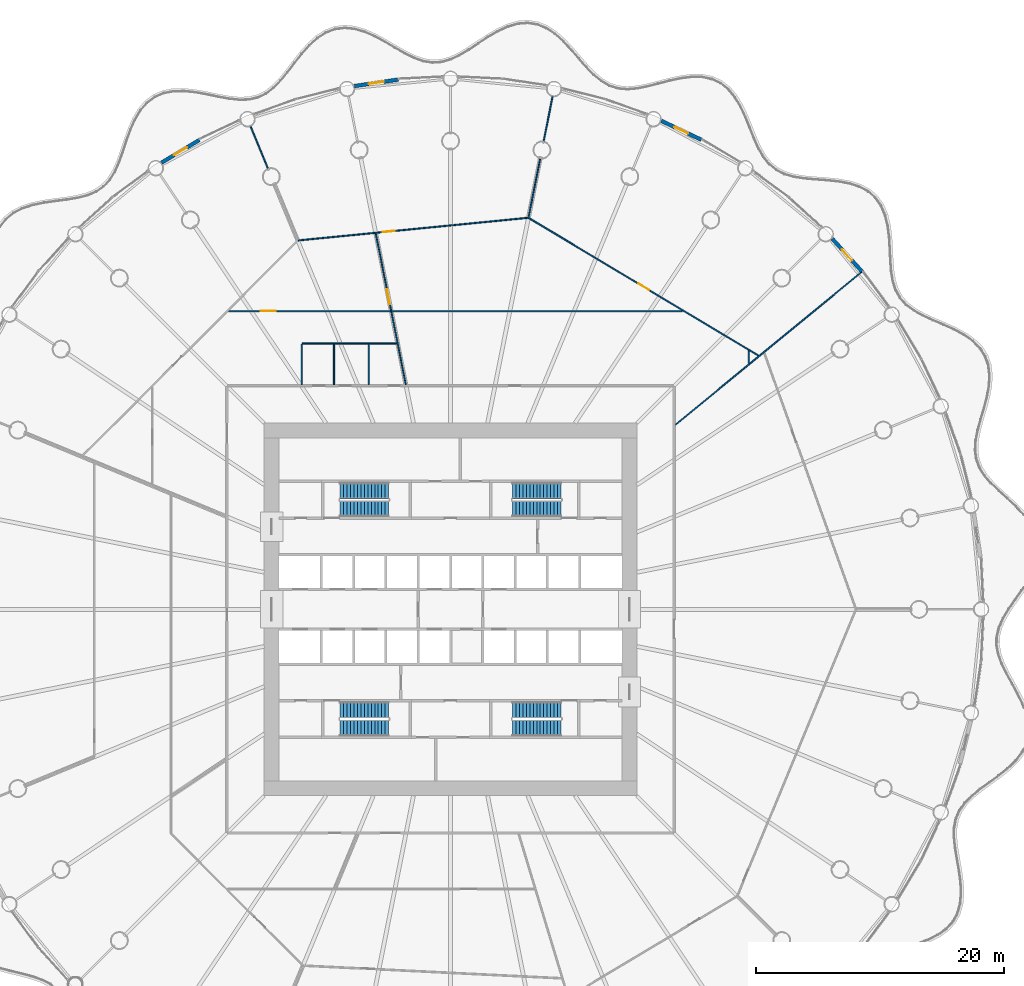
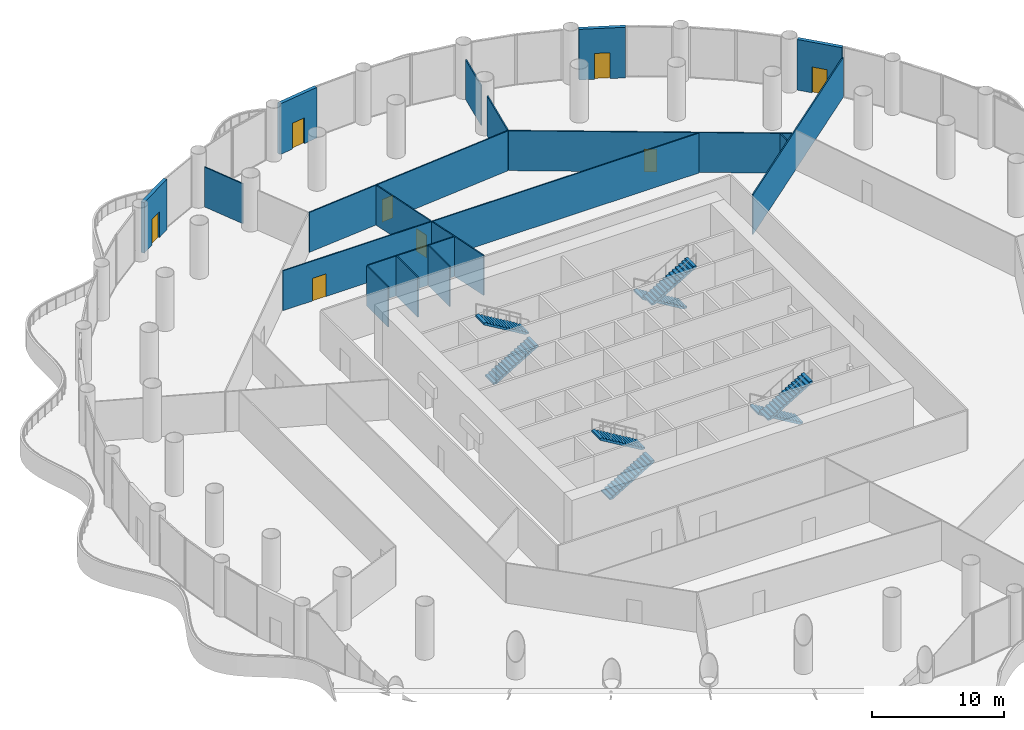
# One storey, part 27 of 35: 18 walls, 8 doors, 8 stair flights, 8 openings, 4 elements without a shape of their own.
"""IFC4 building model written with IfcOpenShell, lengths in metres."""

from ifc_helpers import new_model, si_unit, direction, frame, frame_2d, origin, place, context, subcontext, project, spatial, polyline, rectangle, outline, extrude, material, layer, layer_set, type_object, element, fill, aggregate, save


model = new_model("IFC4")

# Units and contexts
model_context = context("Model", 3, precision=1e-05, world=origin(), true_north=direction((0.0, 1.0)))
body_context = subcontext(model_context, "Body", "Model", "MODEL_VIEW")
ifc_project = project(units=[si_unit("LENGTHUNIT", "METRE"), si_unit("AREAUNIT", "SQUARE_METRE"), si_unit("VOLUMEUNIT", "CUBIC_METRE"), si_unit("PLANEANGLEUNIT", "RADIAN"), si_unit("MASSUNIT", "GRAM", prefix="KILO")], contexts=[model_context])

# Site, building, storey
site_placement = place(None, origin())
site = spatial("IfcSite", under=ifc_project, at=site_placement, CompositionType="ELEMENT")
building_placement = place(site_placement, origin())
building = spatial("IfcBuilding", under=site, at=building_placement, Name="Corvane Civic Tower", CompositionType="ELEMENT")
storey_placement = place(building_placement, frame((0.0, 0.0, 27.0)))
storey = spatial("IfcBuildingStorey", under=building, at=storey_placement, Name="L05", CompositionType="ELEMENT", Elevation=27.0)

# Wall, opening, door
ifc_material_1 = material(Name="Terracotta cladding", Category="masonry")
ifc_layer_1 = layer(ifc_material_1, 0.300048828125)
ifc_layer_set_1 = layer_set([ifc_layer_1], Name="Terracotta cladding")
wall_type_1 = type_object("IfcWallType", Name="PODIUM-W-DRUMDOOR-300", PredefinedType="SOLIDWALL", material=ifc_layer_set_1)
wall_1_placement = place(storey_placement, frame((16.9697265625, 39.317626953125, 0.0), z_axis=(0.0, 0.0, 1.0), x_axis=(0.903993235074, -0.427546758778, 0.0)))
wall_1 = element("IfcWall", 1, at=wall_1_placement, inside=storey, type_object=wall_type_1, Name="L05 drum door bay wall 03", PredefinedType="SOLIDWALL", context=body_context, shape_type="SweptSolid", body=[
    extrude(rectangle(XDim=3.559814453125, YDim=0.300048828125, at=frame_2d((1.77978515625, 0.0))), origin(), (0.0, 0.0, 1.0), 4.699951171875),
])
opening_1_placement = place(wall_1_placement, frame((1.179931640625, 0.0, 0.0)))
opening_1 = element("IfcOpeningElement", 2, at=opening_1_placement, cuts=wall_1, Name="Opening ED-L05-03", PredefinedType="OPENING", context=body_context, shape_type="SweptSolid", body=[
    extrude(rectangle(XDim=1.199951171875, YDim=2.39990234375, at=frame_2d((0.60009765625, 1.199951171875))), frame((0.0, 0.159912109375, 0.0), z_axis=(0.0, -1.0, 0.0), x_axis=(1.0, 0.0, 0.0)), (0.0, 0.0, 1.0), 0.320068359375),
])
ifc_material_2 = material(Name="Anodised aluminium and glass", Category="aluminium")
door_type_1 = type_object("IfcDoorType", Name="PODIUM-D-BALCONY-1200", OperationType="SINGLE_SWING_LEFT", PredefinedType="DOOR", material=ifc_material_2)
door_1_placement = place(opening_1_placement, origin())
door_1 = element("IfcDoor", 3, at=door_1_placement, inside=storey, type_object=door_type_1, Name="L05 balcony door 03", OperationType="SINGLE_SWING_LEFT", OverallHeight=2.39990234375, OverallWidth=1.199951171875, PredefinedType="DOOR", context=body_context, shape_type="SweptSolid", body=[
    extrude(rectangle(XDim=1.199951171875, YDim=2.39990234375, at=frame_2d((0.60009765625, 1.199951171875))), frame((0.0, 0.02490234375, 0.0), z_axis=(0.0, -1.0, 0.0), x_axis=(1.0, 0.0, 0.0)), (0.0, 0.0, 1.0), 0.050048828125),
])
fill(opening_1, door_1)

wall_2_placement = place(storey_placement, frame((30.72412109375, 29.83056640625, 0.0), z_axis=(0.0, 0.0, 1.0), x_axis=(0.671590022694, -0.740922965913, 0.0)))
wall_2 = element("IfcWall", 4, at=wall_2_placement, inside=storey, type_object=wall_type_1, Name="L05 drum door bay wall 05", PredefinedType="SOLIDWALL", context=body_context, shape_type="SweptSolid", body=[
    extrude(rectangle(XDim=3.56005859375, YDim=0.300048828125, at=frame_2d((1.780029296875, 0.0))), origin(), (0.0, 0.0, 1.0), 4.699951171875),
])
opening_2_placement = place(wall_2_placement, frame((1.179931640625, 0.0, 0.0)))
opening_2 = element("IfcOpeningElement", 5, at=opening_2_placement, cuts=wall_2, Name="Opening ED-L05-05", PredefinedType="OPENING", context=body_context, shape_type="SweptSolid", body=[
    extrude(rectangle(XDim=1.199951171875, YDim=2.39990234375, at=frame_2d((0.60009765625, 1.199951171875))), frame((0.0, 0.159912109375, 0.0), z_axis=(0.0, -1.0, 0.0), x_axis=(1.0, 0.0, 0.0)), (0.0, 0.0, 1.0), 0.320068359375),
])
door_2_placement = place(opening_2_placement, origin())
door_2 = element("IfcDoor", 6, at=door_2_placement, inside=storey, type_object=door_type_1, Name="L05 balcony door 05", OperationType="SINGLE_SWING_LEFT", OverallHeight=2.39990234375, OverallWidth=1.199951171875, PredefinedType="DOOR", context=body_context, shape_type="SweptSolid", body=[
    extrude(rectangle(XDim=1.199951171875, YDim=2.39990234375, at=frame_2d((0.60009765625, 1.199951171875))), frame((0.0, 0.02490234375, 0.0), z_axis=(0.0, -1.0, 0.0), x_axis=(1.0, 0.0, 0.0)), (0.0, 0.0, 1.0), 0.050048828125),
])
fill(opening_2, door_2)

wall_3_placement = place(storey_placement, frame((-23.26318359375, 35.95361328125, 0.0), z_axis=(0.0, 0.0, 1.0), x_axis=(0.85770467182, 0.514142680525, 0.0)))
wall_3 = element("IfcWall", 7, at=wall_3_placement, inside=storey, type_object=wall_type_1, Name="L05 drum door bay wall 30", PredefinedType="SOLIDWALL", context=body_context, shape_type="SweptSolid", body=[
    extrude(rectangle(XDim=3.5595703125, YDim=0.300048828125, at=frame_2d((1.77978515625, 0.0))), origin(), (0.0, 0.0, 1.0), 4.699951171875),
])
opening_3_placement = place(wall_3_placement, frame((1.179931640625, 0.0, 0.0)))
opening_3 = element("IfcOpeningElement", 8, at=opening_3_placement, cuts=wall_3, Name="Opening ED-L05-30", PredefinedType="OPENING", context=body_context, shape_type="SweptSolid", body=[
    extrude(rectangle(XDim=1.199951171875, YDim=2.39990234375, at=frame_2d((0.60009765625, 1.199951171875))), frame((0.0, 0.159912109375, 0.0), z_axis=(0.0, -1.0, 0.0), x_axis=(1.0, 0.0, 0.0)), (0.0, 0.0, 1.0), 0.320068359375),
])
door_3_placement = place(opening_3_placement, origin())
door_3 = element("IfcDoor", 9, at=door_3_placement, inside=storey, type_object=door_type_1, Name="L05 balcony door 30", OperationType="SINGLE_SWING_RIGHT", OverallHeight=2.39990234375, OverallWidth=1.199951171875, PredefinedType="DOOR", context=body_context, shape_type="SweptSolid", body=[
    extrude(rectangle(XDim=1.199951171875, YDim=2.39990234375, at=frame_2d((0.60009765625, 1.199951171875))), frame((0.0, 0.02490234375, 0.0), z_axis=(0.0, -1.0, 0.0), x_axis=(1.0, 0.0, 0.0)), (0.0, 0.0, 1.0), 0.050048828125),
])
fill(opening_3, door_3)

wall_4_placement = place(storey_placement, frame((-7.73388671875, 42.119384765625, 0.0), z_axis=(0.0, 0.0, 1.0), x_axis=(0.989180988461, 0.146700279714, 0.0)))
wall_4 = element("IfcWall", 10, at=wall_4_placement, inside=storey, type_object=wall_type_1, Name="L05 drum door bay wall 32", PredefinedType="SOLIDWALL", context=body_context, shape_type="SweptSolid", body=[
    extrude(rectangle(XDim=3.559814453125, YDim=0.300048828125, at=frame_2d((1.77978515625, 0.0))), origin(), (0.0, 0.0, 1.0), 4.699951171875),
])
opening_4_placement = place(wall_4_placement, frame((1.179931640625, 0.0, 0.0)))
opening_4 = element("IfcOpeningElement", 11, at=opening_4_placement, cuts=wall_4, Name="Opening ED-L05-32", PredefinedType="OPENING", context=body_context, shape_type="SweptSolid", body=[
    extrude(rectangle(XDim=1.199951171875, YDim=2.39990234375, at=frame_2d((0.60009765625, 1.199951171875))), frame((0.0, 0.159912109375, 0.0), z_axis=(0.0, -1.0, 0.0), x_axis=(1.0, 0.0, 0.0)), (0.0, 0.0, 1.0), 0.320068359375),
])
door_4_placement = place(opening_4_placement, origin())
door_4 = element("IfcDoor", 12, at=door_4_placement, inside=storey, type_object=door_type_1, Name="L05 balcony door 32", OperationType="SINGLE_SWING_RIGHT", OverallHeight=2.39990234375, OverallWidth=1.199951171875, PredefinedType="DOOR", context=body_context, shape_type="SweptSolid", body=[
    extrude(rectangle(XDim=1.199951171875, YDim=2.39990234375, at=frame_2d((0.60009765625, 1.199951171875))), frame((0.0, 0.02490234375, 0.0), z_axis=(0.0, -1.0, 0.0), x_axis=(1.0, 0.0, 0.0)), (0.0, 0.0, 1.0), 0.050048828125),
])
fill(opening_4, door_4)

# Walls
ifc_material_3 = material(Name="Plasterboard")
ifc_layer_2 = layer(ifc_material_3, 0.10009765625)
ifc_layer_set_2 = layer_set([ifc_layer_2], Name="Plasterboard")
wall_type_2 = type_object("IfcWallType", Name="Partition 100 plasterboard on studs", PredefinedType="PARTITIONING", material=ifc_layer_set_2)
wall_5_placement = place(storey_placement, frame((18.106689453125, 14.85986328125, 0.0), z_axis=(0.0, 0.0, 1.0), x_axis=(0.77301221259, 0.634391140533, 0.0)))
element("IfcWall", 13, at=wall_5_placement, inside=storey, type_object=wall_type_2, Name="Partition L05.028", PredefinedType="PARTITIONING", context=body_context, shape_type="SweptSolid", body=[
    extrude(rectangle(XDim=19.526611328125, YDim=0.10009765625, at=frame_2d((9.76318359375, 0.0))), origin(), (0.0, 0.0, 1.0), 3.699951171875),
])
for number, where, z_axis, x_axis, name in (
    (14, (-11.98046875, 18.074951171875, 0.0), (0.0, 0.0, 1.0), (0.0, 1.0, 0.0), "Partition L05.030"),
    (15, (-9.38037109375, 18.074951171875, 0.0), (0.0, 0.0, 1.0), (0.0, 1.0, 0.0), "Partition L05.031"),
    (16, (-6.580322265625, 18.074951171875, 0.0), (0.0, 0.0, 1.0), (0.0, 1.0, 0.0), "Partition L05.032"),
):
    element("IfcWall", number, at=place(storey_placement, frame(where, z_axis=z_axis, x_axis=x_axis)), inside=storey, type_object=wall_type_2, Name=name, PredefinedType="PARTITIONING", context=body_context, shape_type="SweptSolid", body=[
        extrude(rectangle(XDim=3.275146484375, YDim=0.10009765625, at=frame_2d((1.6376953125, 0.0))), origin(), (0.0, 0.0, 1.0), 3.699951171875),
    ])
wall_6_placement = place(storey_placement, frame((-4.763916015625, 23.949951171875, 0.0), z_axis=(0.0, 0.0, 1.0), x_axis=(0.195063981923, -0.980790519406, 0.0)))
element("IfcWall", 17, at=wall_6_placement, inside=storey, type_object=wall_type_2, Name="Partition L05.033", PredefinedType="PARTITIONING", context=body_context, shape_type="SweptSolid", body=[
    extrude(rectangle(XDim=5.980224609375, YDim=0.10009765625, at=frame_2d((2.990234375, 0.0))), origin(), (0.0, 0.0, 1.0), 3.699951171875),
])
wall_7_placement = place(storey_placement, frame((24.0, 19.802001953125, 0.0), z_axis=(0.0, 0.0, 1.0), x_axis=(0.0, 1.0, 0.0)))
element("IfcWall", 18, at=wall_7_placement, inside=storey, type_object=wall_type_2, Name="Partition L05.034", PredefinedType="PARTITIONING", context=body_context, shape_type="SweptSolid", body=[
    extrude(rectangle(XDim=1.002197265625, YDim=0.10009765625, at=frame_2d((0.5009765625, 0.0))), origin(), (0.0, 0.0, 1.0), 3.699951171875),
])

# Wall, opening, door
wall_8_placement = place(storey_placement, frame((6.2998046875, 31.50146484375, 0.0), z_axis=(0.0, 0.0, 1.0), x_axis=(0.857730774676, -0.514099132632, 0.0)))
wall_8 = element("IfcWall", 19, at=wall_8_placement, inside=storey, type_object=wall_type_2, Name="Partition L05.035", PredefinedType="PARTITIONING", context=body_context, shape_type="SweptSolid", body=[
    extrude(rectangle(XDim=21.547119140625, YDim=0.10009765625, at=frame_2d((10.7734375, 0.0))), origin(), (0.0, 0.0, 1.0), 3.699951171875),
])
opening_5_placement = place(wall_8_placement, frame((10.29150390625, 0.0, 0.0)))
opening_5 = element("IfcOpeningElement", 20, at=opening_5_placement, cuts=wall_8, Name="Opening L05.003", PredefinedType="OPENING", context=body_context, shape_type="SweptSolid", body=[
    extrude(rectangle(XDim=1.0, YDim=2.10009765625, at=frame_2d((0.5, 1.050048828125))), frame((0.0, 0.06005859375, 0.0), z_axis=(0.0, -1.0, 0.0), x_axis=(1.0, 0.0, 0.0)), (0.0, 0.0, 1.0), 0.1201171875),
])
ifc_material_4 = material(Name="Timber", Category="wood")
door_type_2 = type_object("IfcDoorType", Name="Single door 1000", OperationType="NOTDEFINED", PredefinedType="DOOR", material=ifc_material_4)
door_5_placement = place(opening_5_placement, origin())
door_5 = element("IfcDoor", 21, at=door_5_placement, inside=storey, type_object=door_type_2, Name="Door L05.003", OperationType="SINGLE_SWING_LEFT", OverallHeight=2.10009765625, OverallWidth=1.0, PredefinedType="DOOR", context=body_context, shape_type="SweptSolid", body=[
    extrude(rectangle(XDim=1.0, YDim=2.10009765625, at=frame_2d((0.5, 1.050048828125))), frame((0.0, 0.02490234375, 0.0), z_axis=(0.0, -1.0, 0.0), x_axis=(1.0, 0.0, 0.0)), (0.0, 0.0, 1.0), 0.050048828125),
])
fill(opening_5, door_5)

# Wall
wall_9_placement = place(storey_placement, frame((-11.930419921875, 21.39990234375, 0.0), z_axis=(0.0, 0.0, 1.0), x_axis=(1.0, 0.0, 0.0)))
element("IfcWall", 22, at=wall_9_placement, inside=storey, type_object=wall_type_2, Name="Partition L05.036", PredefinedType="PARTITIONING", context=body_context, shape_type="SweptSolid", body=[
    extrude(rectangle(XDim=7.61279296875, YDim=0.10009765625, at=frame_2d((3.806396484375, 0.0))), origin(), (0.0, 0.0, 1.0), 3.699951171875),
])

# Wall, opening, door
wall_10_placement = place(storey_placement, frame((-17.868408203125, 24.0, 0.0), z_axis=(0.0, 0.0, 1.0), x_axis=(1.0, 0.0, 0.0)))
wall_10 = element("IfcWall", 23, at=wall_10_placement, inside=storey, type_object=wall_type_2, Name="Partition L05.037", PredefinedType="PARTITIONING", context=body_context, shape_type="SweptSolid", body=[
    extrude(rectangle(XDim=36.503173828125, YDim=0.10009765625, at=frame_2d((18.25146484375, 0.0))), origin(), (0.0, 0.0, 1.0), 3.699951171875),
])
opening_6_placement = place(wall_10_placement, frame((2.587890625, 0.0, 0.0)))
opening_6 = element("IfcOpeningElement", 24, at=opening_6_placement, cuts=wall_10, Name="Opening L05.005", PredefinedType="OPENING", context=body_context, shape_type="SweptSolid", body=[
    extrude(rectangle(XDim=1.199951171875, YDim=2.10009765625, at=frame_2d((0.60009765625, 1.050048828125))), frame((0.0, 0.06005859375, 0.0), z_axis=(0.0, -1.0, 0.0), x_axis=(1.0, 0.0, 0.0)), (0.0, 0.0, 1.0), 0.1201171875),
])
ifc_material_5 = material(Name="Timber", Category="wood")
door_type_3 = type_object("IfcDoorType", Name="Double door 1200", OperationType="NOTDEFINED", PredefinedType="DOOR", material=ifc_material_5)
door_6_placement = place(opening_6_placement, origin())
door_6 = element("IfcDoor", 25, at=door_6_placement, inside=storey, type_object=door_type_3, Name="Door L05.005", OperationType="DOUBLE_DOOR_SINGLE_SWING", OverallHeight=2.10009765625, OverallWidth=1.199951171875, PredefinedType="DOOR", context=body_context, shape_type="SweptSolid", body=[
    extrude(rectangle(XDim=1.199951171875, YDim=2.10009765625, at=frame_2d((0.60009765625, 1.050048828125))), frame((0.0, 0.02490234375, 0.0), z_axis=(0.0, -1.0, 0.0), x_axis=(1.0, 0.0, 0.0)), (0.0, 0.0, 1.0), 0.050048828125),
])
fill(opening_6, door_6)

wall_11_placement = place(storey_placement, frame((-6.017822265625, 30.25439453125, 0.0), z_axis=(0.0, 0.0, 1.0), x_axis=(0.195053008065, -0.980792701872, 0.0)))
wall_11 = element("IfcWall", 26, at=wall_11_placement, inside=storey, type_object=wall_type_2, Name="Partition L05.038", PredefinedType="PARTITIONING", context=body_context, shape_type="SweptSolid", body=[
    extrude(rectangle(XDim=6.31591796875, YDim=0.10009765625, at=frame_2d((3.157958984375, 0.0))), origin(), (0.0, 0.0, 1.0), 3.699951171875),
])
opening_7_placement = place(wall_11_placement, frame((4.598876953125, 0.0, 0.0)))
opening_7 = element("IfcOpeningElement", 27, at=opening_7_placement, cuts=wall_11, Name="Opening L05.006", PredefinedType="OPENING", context=body_context, shape_type="SweptSolid", body=[
    extrude(rectangle(XDim=1.199951171875, YDim=2.10009765625, at=frame_2d((0.60009765625, 1.050048828125))), frame((0.0, 0.06005859375, 0.0), z_axis=(0.0, -1.0, 0.0), x_axis=(1.0, 0.0, 0.0)), (0.0, 0.0, 1.0), 0.1201171875),
])
door_7_placement = place(opening_7_placement, origin())
door_7 = element("IfcDoor", 28, at=door_7_placement, inside=storey, type_object=door_type_3, Name="Door L05.006", OperationType="DOUBLE_DOOR_SINGLE_SWING", OverallHeight=2.10009765625, OverallWidth=1.199951171875, PredefinedType="DOOR", context=body_context, shape_type="SweptSolid", body=[
    extrude(rectangle(XDim=1.199951171875, YDim=2.10009765625, at=frame_2d((0.60009765625, 1.050048828125))), frame((0.0, 0.02490234375, 0.0), z_axis=(0.0, -1.0, 0.0), x_axis=(1.0, 0.0, 0.0)), (0.0, 0.0, 1.0), 0.050048828125),
])
fill(opening_7, door_7)

wall_12_placement = place(storey_placement, frame((-12.261474609375, 29.694580078125, 0.0), z_axis=(0.0, 0.0, 1.0), x_axis=(0.995184625161, 0.098018170983, 0.0)))
wall_12 = element("IfcWall", 29, at=wall_12_placement, inside=storey, type_object=wall_type_2, Name="Partition L05.039", PredefinedType="PARTITIONING", context=body_context, shape_type="SweptSolid", body=[
    extrude(rectangle(XDim=18.583740234375, YDim=0.10009765625, at=frame_2d((9.2919921875, 0.0))), origin(), (0.0, 0.0, 1.0), 3.699951171875),
])
opening_8_placement = place(wall_12_placement, frame((6.821044921875, 0.0, 0.0)))
opening_8 = element("IfcOpeningElement", 30, at=opening_8_placement, cuts=wall_12, Name="Opening L05.002", PredefinedType="OPENING", context=body_context, shape_type="SweptSolid", body=[
    extrude(rectangle(XDim=1.0, YDim=2.10009765625, at=frame_2d((0.5, 1.050048828125))), frame((0.0, 0.06005859375, 0.0), z_axis=(0.0, -1.0, 0.0), x_axis=(1.0, 0.0, 0.0)), (0.0, 0.0, 1.0), 0.1201171875),
])
door_8_placement = place(opening_8_placement, origin())
door_8 = element("IfcDoor", 31, at=door_8_placement, inside=storey, type_object=door_type_2, Name="Door L05.002", OperationType="SINGLE_SWING_RIGHT", OverallHeight=2.10009765625, OverallWidth=1.0, PredefinedType="DOOR", context=body_context, shape_type="SweptSolid", body=[
    extrude(rectangle(XDim=1.0, YDim=2.10009765625, at=frame_2d((0.5, 1.050048828125))), frame((0.0, 0.02490234375, 0.0), z_axis=(0.0, -1.0, 0.0), x_axis=(1.0, 0.0, 0.0)), (0.0, 0.0, 1.0), 0.050048828125),
])
fill(opening_8, door_8)

# Walls
wall_13_placement = place(storey_placement, frame((6.27685546875, 31.555908203125, 0.0), z_axis=(0.0, 0.0, 1.0), x_axis=(0.195072884942, 0.980788748692, 0.0)))
element("IfcWall", 32, at=wall_13_placement, inside=storey, type_object=wall_type_2, Name="Partition L05.041", PredefinedType="PARTITIONING", context=body_context, shape_type="SweptSolid", body=[
    extrude(rectangle(XDim=4.81591796875, YDim=0.10009765625, at=frame_2d((2.407958984375, 0.0))), origin(), (0.0, 0.0, 1.0), 3.699951171875),
])
wall_14_placement = place(storey_placement, frame((-16.107177734375, 38.885986328125, 0.0), z_axis=(0.0, 0.0, 1.0), x_axis=(0.382687744427, -0.923877746385, 0.0)))
element("IfcWall", 33, at=wall_14_placement, inside=storey, type_object=wall_type_2, Name="Partition L05.042", PredefinedType="PARTITIONING", context=body_context, shape_type="SweptSolid", body=[
    extrude(rectangle(XDim=3.6796875, YDim=0.10009765625, at=frame_2d((1.83984375, 0.0))), origin(), (0.0, 0.0, 1.0), 3.699951171875),
])
wall_15_placement = place(storey_placement, frame((7.493408203125, 37.671875, 0.0), z_axis=(0.0, 0.0, 1.0), x_axis=(0.195095468315, 0.980784256727, 0.0)))
element("IfcWall", 34, at=wall_15_placement, inside=storey, type_object=wall_type_2, Name="Partition L05.043", PredefinedType="PARTITIONING", context=body_context, shape_type="SweptSolid", body=[
    extrude(rectangle(XDim=3.680419921875, YDim=0.10009765625, at=frame_2d((1.84033203125, 0.0))), origin(), (0.0, 0.0, 1.0), 3.699951171875),
])

# Stair, stair flights
ifc_material_6 = material(Name="Concrete C40/50", Category="concrete")
stair_type = type_object("IfcStairType", Name="ST-STAIR-HALFTURN", PredefinedType="HALF_TURN_STAIR", material=ifc_material_6)
stair_1_placement = place(storey_placement, origin())
stair_1 = element("IfcStair", 35, at=stair_1_placement, inside=storey, type_object=stair_type, Name="L05 Exit stair ST1", PredefinedType="HALF_TURN_STAIR")
ifc_material_7 = material(Name="Concrete C40/50", Category="concrete")
stair_flight_type = type_object("IfcStairFlightType", Name="ST-FLIGHT-RC", PredefinedType="STRAIGHT", material=ifc_material_7)
stair_flight_1_placement = place(storey_placement, frame((8.89990234375, 9.550048828125, 0.0), z_axis=(0.0, 0.0, 1.0), x_axis=(-1.0, 0.0, 0.0)))
stair_flight_1 = element("IfcStairFlight", 36, at=stair_flight_1_placement, type_object=stair_flight_type, Name="ST1 flight 1", NumberOfRisers=15, NumberOfTreads=14, PredefinedType="STRAIGHT", RiserHeight=0.166666667, TreadLength=0.28, context=body_context, shape_type="SweptSolid", body=[
    extrude(outline(polyline([(0.0, 0.0), (0.0, 0.166748046875), (0.280029296875, 0.166748046875), (0.280029296875, 0.333251953125), (0.56005859375, 0.333251953125), (0.56005859375, 0.5), (0.840087890625, 0.5), (0.840087890625, 0.666748046875), (1.1201171875, 0.666748046875), (1.1201171875, 0.833251953125), (1.39990234375, 0.833251953125), (1.39990234375, 1.0), (1.679931640625, 1.0), (1.679931640625, 1.166748046875), (1.9599609375, 1.166748046875), (1.9599609375, 1.333251953125), (2.239990234375, 1.333251953125), (2.239990234375, 1.5), (2.52001953125, 1.5), (2.52001953125, 1.666748046875), (2.800048828125, 1.666748046875), (2.800048828125, 1.833251953125), (3.080078125, 1.833251953125), (3.080078125, 2.0), (3.360107421875, 2.0), (3.360107421875, 2.166748046875), (3.639892578125, 2.166748046875), (3.639892578125, 2.333251953125), (3.919921875, 2.333251953125), (3.919921875, 2.5), (3.919921875, 2.158935546875), (0.29296875, 0.0), (0.0, 0.0)])), frame((0.0, 0.64990234375, 0.0), z_axis=(0.0, -1.0, 0.0), x_axis=(1.0, 0.0, 0.0)), (0.0, 0.0, 1.0), 1.300048828125),
])
stair_flight_2_placement = place(storey_placement, frame((4.97998046875, 8.10009765625, 2.5), z_axis=(0.0, 0.0, 1.0), x_axis=(1.0, 0.0, 0.0)))
stair_flight_2 = element("IfcStairFlight", 37, at=stair_flight_2_placement, type_object=stair_flight_type, Name="ST1 flight 2", NumberOfRisers=15, NumberOfTreads=14, PredefinedType="STRAIGHT", RiserHeight=0.166666667, TreadLength=0.28, context=body_context, shape_type="SweptSolid", body=[
    extrude(outline(polyline([(0.0, 0.0), (0.0, 0.166748046875), (0.280029296875, 0.166748046875), (0.280029296875, 0.333251953125), (0.56005859375, 0.333251953125), (0.56005859375, 0.5), (0.840087890625, 0.5), (0.840087890625, 0.666748046875), (1.1201171875, 0.666748046875), (1.1201171875, 0.833251953125), (1.39990234375, 0.833251953125), (1.39990234375, 1.0), (1.679931640625, 1.0), (1.679931640625, 1.166748046875), (1.9599609375, 1.166748046875), (1.9599609375, 1.333251953125), (2.239990234375, 1.333251953125), (2.239990234375, 1.5), (2.52001953125, 1.5), (2.52001953125, 1.666748046875), (2.800048828125, 1.666748046875), (2.800048828125, 1.833251953125), (3.080078125, 1.833251953125), (3.080078125, 2.0), (3.360107421875, 2.0), (3.360107421875, 2.166748046875), (3.639892578125, 2.166748046875), (3.639892578125, 2.333251953125), (3.919921875, 2.333251953125), (3.919921875, 2.5), (3.919921875, 2.158935546875), (0.29296875, 0.0), (0.0, 0.0)])), frame((0.0, 0.64990234375, 0.0), z_axis=(0.0, -1.0, 0.0), x_axis=(1.0, 0.0, 0.0)), (0.0, 0.0, 1.0), 1.300048828125),
])
aggregate(stair_1, [stair_flight_1, stair_flight_2])

stair_2_placement = place(storey_placement, origin())
stair_2 = element("IfcStair", 38, at=stair_2_placement, inside=storey, type_object=stair_type, Name="L05 Exit stair ST2", PredefinedType="HALF_TURN_STAIR")
stair_flight_3_placement = place(storey_placement, frame((8.89990234375, -8.10009765625, 0.0), z_axis=(0.0, 0.0, 1.0), x_axis=(-1.0, 0.0, 0.0)))
stair_flight_3 = element("IfcStairFlight", 39, at=stair_flight_3_placement, type_object=stair_flight_type, Name="ST2 flight 1", NumberOfRisers=15, NumberOfTreads=14, PredefinedType="STRAIGHT", RiserHeight=0.166666667, TreadLength=0.28, context=body_context, shape_type="SweptSolid", body=[
    extrude(outline(polyline([(0.0, 0.0), (0.0, 0.166748046875), (0.280029296875, 0.166748046875), (0.280029296875, 0.333251953125), (0.56005859375, 0.333251953125), (0.56005859375, 0.5), (0.840087890625, 0.5), (0.840087890625, 0.666748046875), (1.1201171875, 0.666748046875), (1.1201171875, 0.833251953125), (1.39990234375, 0.833251953125), (1.39990234375, 1.0), (1.679931640625, 1.0), (1.679931640625, 1.166748046875), (1.9599609375, 1.166748046875), (1.9599609375, 1.333251953125), (2.239990234375, 1.333251953125), (2.239990234375, 1.5), (2.52001953125, 1.5), (2.52001953125, 1.666748046875), (2.800048828125, 1.666748046875), (2.800048828125, 1.833251953125), (3.080078125, 1.833251953125), (3.080078125, 2.0), (3.360107421875, 2.0), (3.360107421875, 2.166748046875), (3.639892578125, 2.166748046875), (3.639892578125, 2.333251953125), (3.919921875, 2.333251953125), (3.919921875, 2.5), (3.919921875, 2.158935546875), (0.29296875, 0.0), (0.0, 0.0)])), frame((0.0, 0.64990234375, 0.0), z_axis=(0.0, -1.0, 0.0), x_axis=(1.0, 0.0, 0.0)), (0.0, 0.0, 1.0), 1.300048828125),
])
stair_flight_4_placement = place(storey_placement, frame((4.97998046875, -9.550048828125, 2.5), z_axis=(0.0, 0.0, 1.0), x_axis=(1.0, 0.0, 0.0)))
stair_flight_4 = element("IfcStairFlight", 40, at=stair_flight_4_placement, type_object=stair_flight_type, Name="ST2 flight 2", NumberOfRisers=15, NumberOfTreads=14, PredefinedType="STRAIGHT", RiserHeight=0.166666667, TreadLength=0.28, context=body_context, shape_type="SweptSolid", body=[
    extrude(outline(polyline([(0.0, 0.0), (0.0, 0.166748046875), (0.280029296875, 0.166748046875), (0.280029296875, 0.333251953125), (0.56005859375, 0.333251953125), (0.56005859375, 0.5), (0.840087890625, 0.5), (0.840087890625, 0.666748046875), (1.1201171875, 0.666748046875), (1.1201171875, 0.833251953125), (1.39990234375, 0.833251953125), (1.39990234375, 1.0), (1.679931640625, 1.0), (1.679931640625, 1.166748046875), (1.9599609375, 1.166748046875), (1.9599609375, 1.333251953125), (2.239990234375, 1.333251953125), (2.239990234375, 1.5), (2.52001953125, 1.5), (2.52001953125, 1.666748046875), (2.800048828125, 1.666748046875), (2.800048828125, 1.833251953125), (3.080078125, 1.833251953125), (3.080078125, 2.0), (3.360107421875, 2.0), (3.360107421875, 2.166748046875), (3.639892578125, 2.166748046875), (3.639892578125, 2.333251953125), (3.919921875, 2.333251953125), (3.919921875, 2.5), (3.919921875, 2.158935546875), (0.29296875, 0.0), (0.0, 0.0)])), frame((0.0, 0.64990234375, 0.0), z_axis=(0.0, -1.0, 0.0), x_axis=(1.0, 0.0, 0.0)), (0.0, 0.0, 1.0), 1.300048828125),
])
aggregate(stair_2, [stair_flight_3, stair_flight_4])

stair_3_placement = place(storey_placement, origin())
stair_3 = element("IfcStair", 41, at=stair_3_placement, inside=storey, type_object=stair_type, Name="L05 Exit stair ST3", PredefinedType="HALF_TURN_STAIR")
stair_flight_5_placement = place(storey_placement, frame((-8.89990234375, -9.550048828125, 0.0), z_axis=(0.0, 0.0, 1.0), x_axis=(1.0, 0.0, 0.0)))
stair_flight_5 = element("IfcStairFlight", 42, at=stair_flight_5_placement, type_object=stair_flight_type, Name="ST3 flight 1", NumberOfRisers=15, NumberOfTreads=14, PredefinedType="STRAIGHT", RiserHeight=0.166666667, TreadLength=0.28, context=body_context, shape_type="SweptSolid", body=[
    extrude(outline(polyline([(0.0, 0.0), (0.0, 0.166748046875), (0.280029296875, 0.166748046875), (0.280029296875, 0.333251953125), (0.56005859375, 0.333251953125), (0.56005859375, 0.5), (0.840087890625, 0.5), (0.840087890625, 0.666748046875), (1.1201171875, 0.666748046875), (1.1201171875, 0.833251953125), (1.39990234375, 0.833251953125), (1.39990234375, 1.0), (1.679931640625, 1.0), (1.679931640625, 1.166748046875), (1.9599609375, 1.166748046875), (1.9599609375, 1.333251953125), (2.239990234375, 1.333251953125), (2.239990234375, 1.5), (2.52001953125, 1.5), (2.52001953125, 1.666748046875), (2.800048828125, 1.666748046875), (2.800048828125, 1.833251953125), (3.080078125, 1.833251953125), (3.080078125, 2.0), (3.360107421875, 2.0), (3.360107421875, 2.166748046875), (3.639892578125, 2.166748046875), (3.639892578125, 2.333251953125), (3.919921875, 2.333251953125), (3.919921875, 2.5), (3.919921875, 2.158935546875), (0.29296875, 0.0), (0.0, 0.0)])), frame((0.0, 0.64990234375, 0.0), z_axis=(0.0, -1.0, 0.0), x_axis=(1.0, 0.0, 0.0)), (0.0, 0.0, 1.0), 1.300048828125),
])
stair_flight_6_placement = place(storey_placement, frame((-4.97998046875, -8.10009765625, 2.5), z_axis=(0.0, 0.0, 1.0), x_axis=(-1.0, 0.0, 0.0)))
stair_flight_6 = element("IfcStairFlight", 43, at=stair_flight_6_placement, type_object=stair_flight_type, Name="ST3 flight 2", NumberOfRisers=15, NumberOfTreads=14, PredefinedType="STRAIGHT", RiserHeight=0.166666667, TreadLength=0.28, context=body_context, shape_type="SweptSolid", body=[
    extrude(outline(polyline([(0.0, 0.0), (0.0, 0.166748046875), (0.280029296875, 0.166748046875), (0.280029296875, 0.333251953125), (0.56005859375, 0.333251953125), (0.56005859375, 0.5), (0.840087890625, 0.5), (0.840087890625, 0.666748046875), (1.1201171875, 0.666748046875), (1.1201171875, 0.833251953125), (1.39990234375, 0.833251953125), (1.39990234375, 1.0), (1.679931640625, 1.0), (1.679931640625, 1.166748046875), (1.9599609375, 1.166748046875), (1.9599609375, 1.333251953125), (2.239990234375, 1.333251953125), (2.239990234375, 1.5), (2.52001953125, 1.5), (2.52001953125, 1.666748046875), (2.800048828125, 1.666748046875), (2.800048828125, 1.833251953125), (3.080078125, 1.833251953125), (3.080078125, 2.0), (3.360107421875, 2.0), (3.360107421875, 2.166748046875), (3.639892578125, 2.166748046875), (3.639892578125, 2.333251953125), (3.919921875, 2.333251953125), (3.919921875, 2.5), (3.919921875, 2.158935546875), (0.29296875, 0.0), (0.0, 0.0)])), frame((0.0, 0.64990234375, 0.0), z_axis=(0.0, -1.0, 0.0), x_axis=(1.0, 0.0, 0.0)), (0.0, 0.0, 1.0), 1.300048828125),
])
aggregate(stair_3, [stair_flight_5, stair_flight_6])

stair_4_placement = place(storey_placement, origin())
stair_4 = element("IfcStair", 44, at=stair_4_placement, inside=storey, type_object=stair_type, Name="L05 Exit stair ST4", PredefinedType="HALF_TURN_STAIR")
stair_flight_7_placement = place(storey_placement, frame((-8.89990234375, 8.10009765625, 0.0), z_axis=(0.0, 0.0, 1.0), x_axis=(1.0, 0.0, 0.0)))
stair_flight_7 = element("IfcStairFlight", 45, at=stair_flight_7_placement, type_object=stair_flight_type, Name="ST4 flight 1", NumberOfRisers=15, NumberOfTreads=14, PredefinedType="STRAIGHT", RiserHeight=0.166666667, TreadLength=0.28, context=body_context, shape_type="SweptSolid", body=[
    extrude(outline(polyline([(0.0, 0.0), (0.0, 0.166748046875), (0.280029296875, 0.166748046875), (0.280029296875, 0.333251953125), (0.56005859375, 0.333251953125), (0.56005859375, 0.5), (0.840087890625, 0.5), (0.840087890625, 0.666748046875), (1.1201171875, 0.666748046875), (1.1201171875, 0.833251953125), (1.39990234375, 0.833251953125), (1.39990234375, 1.0), (1.679931640625, 1.0), (1.679931640625, 1.166748046875), (1.9599609375, 1.166748046875), (1.9599609375, 1.333251953125), (2.239990234375, 1.333251953125), (2.239990234375, 1.5), (2.52001953125, 1.5), (2.52001953125, 1.666748046875), (2.800048828125, 1.666748046875), (2.800048828125, 1.833251953125), (3.080078125, 1.833251953125), (3.080078125, 2.0), (3.360107421875, 2.0), (3.360107421875, 2.166748046875), (3.639892578125, 2.166748046875), (3.639892578125, 2.333251953125), (3.919921875, 2.333251953125), (3.919921875, 2.5), (3.919921875, 2.158935546875), (0.29296875, 0.0), (0.0, 0.0)])), frame((0.0, 0.64990234375, 0.0), z_axis=(0.0, -1.0, 0.0), x_axis=(1.0, 0.0, 0.0)), (0.0, 0.0, 1.0), 1.300048828125),
])
stair_flight_8_placement = place(storey_placement, frame((-4.97998046875, 9.550048828125, 2.5), z_axis=(0.0, 0.0, 1.0), x_axis=(-1.0, 0.0, 0.0)))
stair_flight_8 = element("IfcStairFlight", 46, at=stair_flight_8_placement, type_object=stair_flight_type, Name="ST4 flight 2", NumberOfRisers=15, NumberOfTreads=14, PredefinedType="STRAIGHT", RiserHeight=0.166666667, TreadLength=0.28, context=body_context, shape_type="SweptSolid", body=[
    extrude(outline(polyline([(0.0, 0.0), (0.0, 0.166748046875), (0.280029296875, 0.166748046875), (0.280029296875, 0.333251953125), (0.56005859375, 0.333251953125), (0.56005859375, 0.5), (0.840087890625, 0.5), (0.840087890625, 0.666748046875), (1.1201171875, 0.666748046875), (1.1201171875, 0.833251953125), (1.39990234375, 0.833251953125), (1.39990234375, 1.0), (1.679931640625, 1.0), (1.679931640625, 1.166748046875), (1.9599609375, 1.166748046875), (1.9599609375, 1.333251953125), (2.239990234375, 1.333251953125), (2.239990234375, 1.5), (2.52001953125, 1.5), (2.52001953125, 1.666748046875), (2.800048828125, 1.666748046875), (2.800048828125, 1.833251953125), (3.080078125, 1.833251953125), (3.080078125, 2.0), (3.360107421875, 2.0), (3.360107421875, 2.166748046875), (3.639892578125, 2.166748046875), (3.639892578125, 2.333251953125), (3.919921875, 2.333251953125), (3.919921875, 2.5), (3.919921875, 2.158935546875), (0.29296875, 0.0), (0.0, 0.0)])), frame((0.0, 0.64990234375, 0.0), z_axis=(0.0, -1.0, 0.0), x_axis=(1.0, 0.0, 0.0)), (0.0, 0.0, 1.0), 1.300048828125),
])
aggregate(stair_4, [stair_flight_7, stair_flight_8])

save(model, "model.ifc")
